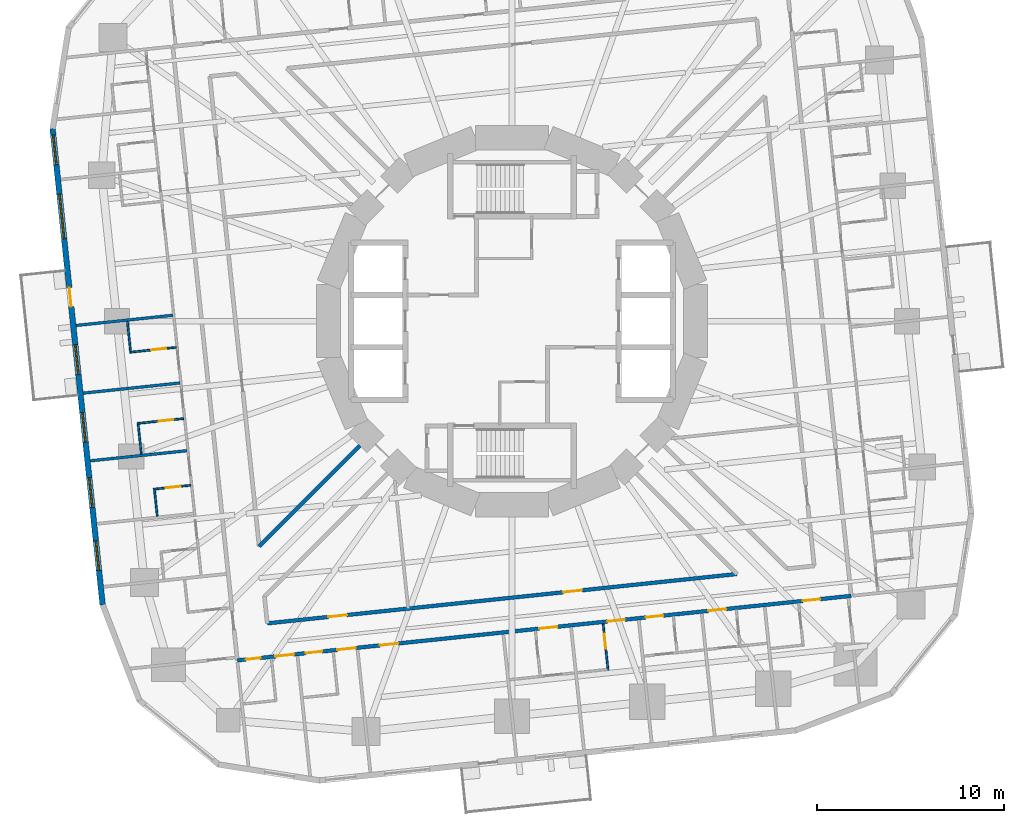
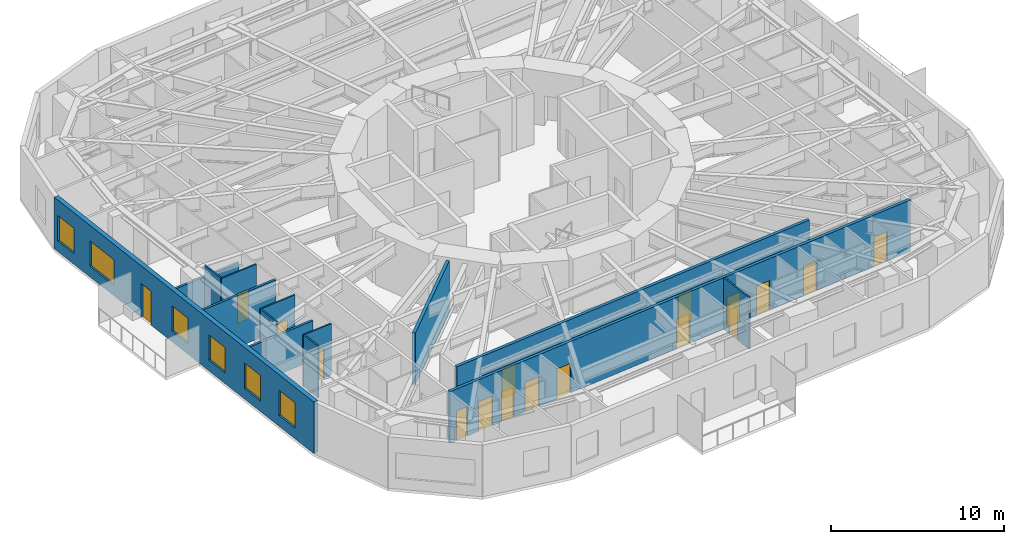
# One storey, part 5 of 13: 17 doors, 14 walls, 6 windows, 23 openings.
"""IFC4 building model written with IfcOpenShell, lengths in metres."""

from ifc_helpers import new_model, si_unit, direction, frame, frame_2d, origin, place, context, subcontext, project, spatial, rectangle, extrude, material, layer, layer_set, type_object, element, fill, save


model = new_model("IFC4")

# Units and contexts
model_context = context("Model", 3, precision=1e-05, world=origin(), true_north=direction((0.0, 1.0)))
body_context = subcontext(model_context, "Body", "Model", "MODEL_VIEW")
ifc_project = project(units=[si_unit("LENGTHUNIT", "METRE"), si_unit("AREAUNIT", "SQUARE_METRE"), si_unit("VOLUMEUNIT", "CUBIC_METRE"), si_unit("PLANEANGLEUNIT", "RADIAN"), si_unit("MASSUNIT", "GRAM", prefix="KILO")], contexts=[model_context])

# Site, building, storey
site_placement = place(None, origin())
site = spatial("IfcSite", under=ifc_project, at=site_placement, CompositionType="ELEMENT")
building_placement = place(site_placement, origin())
building = spatial("IfcBuilding", under=site, at=building_placement, Name="Nakasero Lantern House", CompositionType="ELEMENT")
storey_placement = place(building_placement, frame((0.0, 0.0, 91.300048828125)))
storey = spatial("IfcBuildingStorey", under=building, at=storey_placement, Name="L22", CompositionType="ELEMENT", Elevation=91.300048828125)

# Wall, openings, doors
ifc_material_1 = material(Name="Blockwork", Category="masonry")
ifc_layer_1 = layer(ifc_material_1, 0.199951171875)
ifc_layer_set_1 = layer_set([ifc_layer_1], Name="Corridor wall 200")
wall_type_1 = type_object("IfcWallType", Name="Corridor wall 200", PredefinedType="PARTITIONING", material=ifc_layer_set_1)
wall_1_placement = place(storey_placement, frame((-14.684814453125, -18.13427734375, 0.0), z_axis=(0.0, 0.0, 1.0), x_axis=(0.994521777723, 0.10452958258, 0.0)))
wall_1 = element("IfcWall", 1, at=wall_1_placement, inside=storey, type_object=wall_type_1, Name="Corridor wall L22 CW3", PredefinedType="PARTITIONING", context=body_context, shape_type="SweptSolid", body=[
    extrude(rectangle(XDim=32.999755859375, YDim=0.199951171875, at=frame_2d((16.5, 0.0))), origin(), (0.0, 0.0, 1.0), 3.64990234375),
])
opening_1_placement = place(wall_1_placement, frame((0.449951171875, 0.0, 0.0)))
opening_1 = element("IfcOpeningElement", 2, at=opening_1_placement, cuts=wall_1, Name="Opening D15", PredefinedType="OPENING", context=body_context, shape_type="SweptSolid", body=[
    extrude(rectangle(XDim=0.800048828125, YDim=2.10009765625, at=frame_2d((0.39990234375, 1.050048828125))), frame((0.0, 0.119873046875, 0.0), z_axis=(0.0, -1.0, 0.0), x_axis=(1.0, 0.0, 0.0)), (0.0, 0.0, 1.0), 0.239990234375),
])
opening_2_placement = place(wall_1_placement, frame((2.050048828125, 0.0, 0.0)))
opening_2 = element("IfcOpeningElement", 3, at=opening_2_placement, cuts=wall_1, Name="Opening D07", PredefinedType="OPENING", context=body_context, shape_type="SweptSolid", body=[
    extrude(rectangle(XDim=1.0, YDim=2.10009765625, at=frame_2d((0.5, 1.050048828125))), frame((0.0, 0.119873046875, 0.0), z_axis=(0.0, -1.0, 0.0), x_axis=(1.0, 0.0, 0.0)), (0.0, 0.0, 1.0), 0.239990234375),
])
opening_3_placement = place(wall_1_placement, frame((3.67529296875, 0.0, 0.0)))
opening_3 = element("IfcOpeningElement", 4, at=opening_3_placement, cuts=wall_1, Name="Opening D16", PredefinedType="OPENING", context=body_context, shape_type="SweptSolid", body=[
    extrude(rectangle(XDim=0.89990234375, YDim=2.10009765625, at=frame_2d((0.449951171875, 1.050048828125))), frame((0.0, 0.119873046875, 0.0), z_axis=(0.0, -1.0, 0.0), x_axis=(1.0, 0.0, 0.0)), (0.0, 0.0, 1.0), 0.239990234375),
])
opening_4_placement = place(wall_1_placement, frame((5.375244140625, 0.0, 0.0)))
opening_4 = element("IfcOpeningElement", 5, at=opening_4_placement, cuts=wall_1, Name="Opening D07", PredefinedType="OPENING", context=body_context, shape_type="SweptSolid", body=[
    extrude(rectangle(XDim=1.0, YDim=2.10009765625, at=frame_2d((0.5, 1.050048828125))), frame((0.0, 0.119873046875, 0.0), z_axis=(0.0, -1.0, 0.0), x_axis=(1.0, 0.0, 0.0)), (0.0, 0.0, 1.0), 0.239990234375),
])
opening_5_placement = place(wall_1_placement, frame((16.242919921875, 0.0, 0.0)))
opening_5 = element("IfcOpeningElement", 6, at=opening_5_placement, cuts=wall_1, Name="Opening D01", PredefinedType="OPENING", context=body_context, shape_type="SweptSolid", body=[
    extrude(rectangle(XDim=0.949951171875, YDim=2.10009765625, at=frame_2d((0.47509765625, 1.050048828125))), frame((0.0, 0.119873046875, 0.0), z_axis=(0.0, -1.0, 0.0), x_axis=(1.0, 0.0, 0.0)), (0.0, 0.0, 1.0), 0.239990234375),
])
opening_6_placement = place(wall_1_placement, frame((19.88134765625, 0.0, 0.0)))
opening_6 = element("IfcOpeningElement", 7, at=opening_6_placement, cuts=wall_1, Name="Opening D01", PredefinedType="OPENING", context=body_context, shape_type="SweptSolid", body=[
    extrude(rectangle(XDim=0.949951171875, YDim=2.10009765625, at=frame_2d((0.47509765625, 1.050048828125))), frame((0.0, 0.119873046875, 0.0), z_axis=(0.0, -1.0, 0.0), x_axis=(1.0, 0.0, 0.0)), (0.0, 0.0, 1.0), 0.239990234375),
])
opening_7_placement = place(wall_1_placement, frame((21.945068359375, 0.0, 0.0)))
opening_7 = element("IfcOpeningElement", 8, at=opening_7_placement, cuts=wall_1, Name="Opening D01", PredefinedType="OPENING", context=body_context, shape_type="SweptSolid", body=[
    extrude(rectangle(XDim=0.949951171875, YDim=2.10009765625, at=frame_2d((0.47509765625, 1.050048828125))), frame((0.0, 0.119873046875, 0.0), z_axis=(0.0, -1.0, 0.0), x_axis=(1.0, 0.0, 0.0)), (0.0, 0.0, 1.0), 0.239990234375),
])
opening_8_placement = place(wall_1_placement, frame((25.33056640625, 0.0, 0.0)))
opening_8 = element("IfcOpeningElement", 9, at=opening_8_placement, cuts=wall_1, Name="Opening D01", PredefinedType="OPENING", context=body_context, shape_type="SweptSolid", body=[
    extrude(rectangle(XDim=0.949951171875, YDim=2.10009765625, at=frame_2d((0.47509765625, 1.050048828125))), frame((0.0, 0.119873046875, 0.0), z_axis=(0.0, -1.0, 0.0), x_axis=(1.0, 0.0, 0.0)), (0.0, 0.0, 1.0), 0.239990234375),
])
opening_9_placement = place(wall_1_placement, frame((30.39111328125, 0.0, 0.0)))
opening_9 = element("IfcOpeningElement", 10, at=opening_9_placement, cuts=wall_1, Name="Opening D01", PredefinedType="OPENING", context=body_context, shape_type="SweptSolid", body=[
    extrude(rectangle(XDim=0.949951171875, YDim=2.10009765625, at=frame_2d((0.47509765625, 1.050048828125))), frame((0.0, 0.119873046875, 0.0), z_axis=(0.0, -1.0, 0.0), x_axis=(1.0, 0.0, 0.0)), (0.0, 0.0, 1.0), 0.239990234375),
])
opening_10_placement = place(wall_1_placement, frame((7.650634765625, 0.0, 0.0)))
opening_10 = element("IfcOpeningElement", 11, at=opening_10_placement, cuts=wall_1, Name="Opening D03", PredefinedType="OPENING", context=body_context, shape_type="SweptSolid", body=[
    extrude(rectangle(XDim=1.0, YDim=2.10009765625, at=frame_2d((0.5, 1.050048828125))), frame((0.0, 0.119873046875, 0.0), z_axis=(0.0, -1.0, 0.0), x_axis=(1.0, 0.0, 0.0)), (0.0, 0.0, 1.0), 0.239990234375),
])
ifc_material_2 = material(Name="Timber C24", Category="wood")
door_type_1 = type_object("IfcDoorType", Name="Accessible WC door 900", OperationType="SINGLE_SWING_RIGHT", PredefinedType="DOOR", material=ifc_material_2)
door_1_placement = place(opening_3_placement, origin())
door_1 = element("IfcDoor", 12, at=door_1_placement, inside=storey, type_object=door_type_1, Name="Door L22 DS3-01", OperationType="SINGLE_SWING_LEFT", OverallHeight=2.10009765625, OverallWidth=0.89990234375, PredefinedType="DOOR", context=body_context, shape_type="SweptSolid", body=[
    extrude(rectangle(XDim=0.89990234375, YDim=2.10009765625, at=frame_2d((0.449951171875, 1.050048828125))), frame((0.0, 0.02490234375, 0.0), z_axis=(0.0, -1.0, 0.0), x_axis=(1.0, 0.0, 0.0)), (0.0, 0.0, 1.0), 0.050048828125),
])
fill(opening_3, door_1)
ifc_material_3 = material(Name="Timber C24", Category="wood")
door_type_2 = type_object("IfcDoorType", Name="Bedroom door FD30S 950", OperationType="SINGLE_SWING_LEFT", PredefinedType="DOOR", material=ifc_material_3)
door_2_placement = place(opening_5_placement, origin())
door_2 = element("IfcDoor", 13, at=door_2_placement, inside=storey, type_object=door_type_2, Name="Door L22 D3-04", OperationType="SINGLE_SWING_RIGHT", OverallHeight=2.10009765625, OverallWidth=0.949951171875, PredefinedType="DOOR", context=body_context, shape_type="SweptSolid", body=[
    extrude(rectangle(XDim=0.949951171875, YDim=2.10009765625, at=frame_2d((0.47509765625, 1.050048828125))), frame((0.0, 0.02490234375, 0.0), z_axis=(0.0, -1.0, 0.0), x_axis=(1.0, 0.0, 0.0)), (0.0, 0.0, 1.0), 0.050048828125),
])
fill(opening_5, door_2)
door_3_placement = place(opening_6_placement, origin())
door_3 = element("IfcDoor", 14, at=door_3_placement, inside=storey, type_object=door_type_2, Name="Door L22 D3-05", OperationType="SINGLE_SWING_RIGHT", OverallHeight=2.10009765625, OverallWidth=0.949951171875, PredefinedType="DOOR", context=body_context, shape_type="SweptSolid", body=[
    extrude(rectangle(XDim=0.949951171875, YDim=2.10009765625, at=frame_2d((0.47509765625, 1.050048828125))), frame((0.0, 0.02490234375, 0.0), z_axis=(0.0, -1.0, 0.0), x_axis=(1.0, 0.0, 0.0)), (0.0, 0.0, 1.0), 0.050048828125),
])
fill(opening_6, door_3)
door_4_placement = place(opening_7_placement, origin())
door_4 = element("IfcDoor", 15, at=door_4_placement, inside=storey, type_object=door_type_2, Name="Door L22 D3-06", OperationType="SINGLE_SWING_RIGHT", OverallHeight=2.10009765625, OverallWidth=0.949951171875, PredefinedType="DOOR", context=body_context, shape_type="SweptSolid", body=[
    extrude(rectangle(XDim=0.949951171875, YDim=2.10009765625, at=frame_2d((0.47509765625, 1.050048828125))), frame((0.0, 0.02490234375, 0.0), z_axis=(0.0, -1.0, 0.0), x_axis=(1.0, 0.0, 0.0)), (0.0, 0.0, 1.0), 0.050048828125),
])
fill(opening_7, door_4)
door_5_placement = place(opening_8_placement, origin())
door_5 = element("IfcDoor", 16, at=door_5_placement, inside=storey, type_object=door_type_2, Name="Door L22 D3-07", OperationType="SINGLE_SWING_RIGHT", OverallHeight=2.10009765625, OverallWidth=0.949951171875, PredefinedType="DOOR", context=body_context, shape_type="SweptSolid", body=[
    extrude(rectangle(XDim=0.949951171875, YDim=2.10009765625, at=frame_2d((0.47509765625, 1.050048828125))), frame((0.0, 0.02490234375, 0.0), z_axis=(0.0, -1.0, 0.0), x_axis=(1.0, 0.0, 0.0)), (0.0, 0.0, 1.0), 0.050048828125),
])
fill(opening_8, door_5)
door_6_placement = place(opening_9_placement, origin())
door_6 = element("IfcDoor", 17, at=door_6_placement, inside=storey, type_object=door_type_2, Name="Door L22 D3-08", OperationType="SINGLE_SWING_RIGHT", OverallHeight=2.10009765625, OverallWidth=0.949951171875, PredefinedType="DOOR", context=body_context, shape_type="SweptSolid", body=[
    extrude(rectangle(XDim=0.949951171875, YDim=2.10009765625, at=frame_2d((0.47509765625, 1.050048828125))), frame((0.0, 0.02490234375, 0.0), z_axis=(0.0, -1.0, 0.0), x_axis=(1.0, 0.0, 0.0)), (0.0, 0.0, 1.0), 0.050048828125),
])
fill(opening_9, door_6)
ifc_material_4 = material(Name="Timber C24", Category="wood")
door_type_3 = type_object("IfcDoorType", Name="Cleaner's store door FD30S 800", OperationType="SINGLE_SWING_LEFT", PredefinedType="DOOR", material=ifc_material_4)
door_7_placement = place(opening_1_placement, origin())
door_7 = element("IfcDoor", 18, at=door_7_placement, inside=storey, type_object=door_type_3, Name="Door L22 DS3-00", OperationType="SINGLE_SWING_LEFT", OverallHeight=2.10009765625, OverallWidth=0.800048828125, PredefinedType="DOOR", context=body_context, shape_type="SweptSolid", body=[
    extrude(rectangle(XDim=0.800048828125, YDim=2.10009765625, at=frame_2d((0.39990234375, 1.050048828125))), frame((0.0, 0.02490234375, 0.0), z_axis=(0.0, -1.0, 0.0), x_axis=(1.0, 0.0, 0.0)), (0.0, 0.0, 1.0), 0.050048828125),
])
fill(opening_1, door_7)
ifc_material_5 = material(Name="Timber C24", Category="wood")
door_type_4 = type_object("IfcDoorType", Name="Lounge door FD30S 1000", OperationType="SINGLE_SWING_LEFT", PredefinedType="DOOR", material=ifc_material_5)
door_8_placement = place(opening_10_placement, origin())
door_8 = element("IfcDoor", 19, at=door_8_placement, inside=storey, type_object=door_type_4, Name="Door L22 DK3", OperationType="SINGLE_SWING_LEFT", OverallHeight=2.10009765625, OverallWidth=1.0, PredefinedType="DOOR", context=body_context, shape_type="SweptSolid", body=[
    extrude(rectangle(XDim=1.0, YDim=2.10009765625, at=frame_2d((0.5, 1.050048828125))), frame((0.0, 0.02490234375, 0.0), z_axis=(0.0, -1.0, 0.0), x_axis=(1.0, 0.0, 0.0)), (0.0, 0.0, 1.0), 0.050048828125),
])
fill(opening_10, door_8)
ifc_material_6 = material(Name="Timber C24", Category="wood")
door_type_5 = type_object("IfcDoorType", Name="Room door FD30S 1000", OperationType="SINGLE_SWING_LEFT", PredefinedType="DOOR", material=ifc_material_6)
door_9_placement = place(opening_2_placement, origin())
door_9 = element("IfcDoor", 20, at=door_9_placement, inside=storey, type_object=door_type_5, Name="Door L22 D3-00", OperationType="SINGLE_SWING_LEFT", OverallHeight=2.10009765625, OverallWidth=1.0, PredefinedType="DOOR", context=body_context, shape_type="SweptSolid", body=[
    extrude(rectangle(XDim=1.0, YDim=2.10009765625, at=frame_2d((0.5, 1.050048828125))), frame((0.0, 0.02490234375, 0.0), z_axis=(0.0, -1.0, 0.0), x_axis=(1.0, 0.0, 0.0)), (0.0, 0.0, 1.0), 0.050048828125),
])
fill(opening_2, door_9)
door_10_placement = place(opening_4_placement, origin())
door_10 = element("IfcDoor", 21, at=door_10_placement, inside=storey, type_object=door_type_5, Name="Door L22 D3-01", OperationType="SINGLE_SWING_LEFT", OverallHeight=2.10009765625, OverallWidth=1.0, PredefinedType="DOOR", context=body_context, shape_type="SweptSolid", body=[
    extrude(rectangle(XDim=1.0, YDim=2.10009765625, at=frame_2d((0.5, 1.050048828125))), frame((0.0, 0.02490234375, 0.0), z_axis=(0.0, -1.0, 0.0), x_axis=(1.0, 0.0, 0.0)), (0.0, 0.0, 1.0), 0.050048828125),
])
fill(opening_4, door_10)

wall_2_placement = place(storey_placement, frame((-13.0830078125, -16.156005859375, 0.0), z_axis=(0.0, 0.0, 1.0), x_axis=(0.994521862783, 0.104528773298, 0.0)))
wall_2 = element("IfcWall", 22, at=wall_2_placement, inside=storey, type_object=wall_type_1, Name="Corridor wall L22 IW3-0", PredefinedType="PARTITIONING", context=body_context, shape_type="SweptSolid", body=[
    extrude(rectangle(XDim=25.2529296875, YDim=0.199951171875, at=frame_2d((12.62646484375, 0.0))), origin(), (0.0, 0.0, 1.0), 3.64990234375),
])
opening_11_placement = place(wall_2_placement, frame((3.287841796875, 0.0, 0.0)))
opening_11 = element("IfcOpeningElement", 23, at=opening_11_placement, cuts=wall_2, Name="Opening D07", PredefinedType="OPENING", context=body_context, shape_type="SweptSolid", body=[
    extrude(rectangle(XDim=1.0, YDim=2.10009765625, at=frame_2d((0.5, 1.050048828125))), frame((0.0, 0.119873046875, 0.0), z_axis=(0.0, -1.0, 0.0), x_axis=(1.0, 0.0, 0.0)), (0.0, 0.0, 1.0), 0.239990234375),
])
opening_12_placement = place(wall_2_placement, frame((15.914306640625, 0.0, 0.0)))
opening_12 = element("IfcOpeningElement", 24, at=opening_12_placement, cuts=wall_2, Name="Opening D07", PredefinedType="OPENING", context=body_context, shape_type="SweptSolid", body=[
    extrude(rectangle(XDim=1.0, YDim=2.10009765625, at=frame_2d((0.5, 1.050048828125))), frame((0.0, 0.119873046875, 0.0), z_axis=(0.0, -1.0, 0.0), x_axis=(1.0, 0.0, 0.0)), (0.0, 0.0, 1.0), 0.239990234375),
])
door_11_placement = place(opening_11_placement, origin())
door_11 = element("IfcDoor", 25, at=door_11_placement, inside=storey, type_object=door_type_5, Name="Door L22 DI1", OperationType="SINGLE_SWING_LEFT", OverallHeight=2.10009765625, OverallWidth=1.0, PredefinedType="DOOR", context=body_context, shape_type="SweptSolid", body=[
    extrude(rectangle(XDim=1.0, YDim=2.10009765625, at=frame_2d((0.5, 1.050048828125))), frame((0.0, 0.02490234375, 0.0), z_axis=(0.0, -1.0, 0.0), x_axis=(1.0, 0.0, 0.0)), (0.0, 0.0, 1.0), 0.050048828125),
])
fill(opening_11, door_11)
door_12_placement = place(opening_12_placement, origin())
door_12 = element("IfcDoor", 26, at=door_12_placement, inside=storey, type_object=door_type_5, Name="Door L22 DI1S", OperationType="SINGLE_SWING_RIGHT", OverallHeight=2.10009765625, OverallWidth=1.0, PredefinedType="DOOR", context=body_context, shape_type="SweptSolid", body=[
    extrude(rectangle(XDim=1.0, YDim=2.10009765625, at=frame_2d((0.5, 1.050048828125))), frame((0.0, 0.02490234375, 0.0), z_axis=(0.0, -1.0, 0.0), x_axis=(1.0, 0.0, 0.0)), (0.0, 0.0, 1.0), 0.050048828125),
])
fill(opening_12, door_12)

# Wall
wall_3_placement = place(storey_placement, frame((-8.13720703125, -6.65234375, 0.0), z_axis=(0.0, 0.0, 1.0), x_axis=(-0.707106781187, -0.707106781187, 0.0)))
element("IfcWall", 27, at=wall_3_placement, inside=storey, type_object=wall_type_1, Name="Corridor wall L22 PS10b", PredefinedType="PARTITIONING", context=body_context, shape_type="SweptSolid", body=[
    extrude(rectangle(XDim=7.607177734375, YDim=0.199951171875, at=frame_2d((3.8037109375, 0.0))), origin(), (0.0, 0.0, 1.0), 3.64990234375),
])

# Wall, opening, door
ifc_material_7 = material(Name="Blockwork", Category="masonry")
ifc_layer_2 = layer(ifc_material_7, 0.10009765625)
ifc_layer_set_2 = layer_set([ifc_layer_2], Name="En-suite wall 100")
wall_type_2 = type_object("IfcWallType", Name="En-suite wall 100", PredefinedType="PARTITIONING", material=ifc_layer_set_2)
wall_4_placement = place(storey_placement, frame((-17.951904296875, -1.40185546875, 0.0), z_axis=(0.0, 0.0, 1.0), x_axis=(-0.994514546653, -0.104598357995, 0.0)))
wall_4 = element("IfcWall", 28, at=wall_4_placement, inside=storey, type_object=wall_type_2, Name="En-suite wall L22 ES2-04", PredefinedType="PARTITIONING", context=body_context, shape_type="SweptSolid", body=[
    extrude(rectangle(XDim=2.499755859375, YDim=0.10009765625, at=frame_2d((1.25, 0.0))), origin(), (0.0, 0.0, 1.0), 3.64990234375),
])
opening_13_placement = place(wall_4_placement, frame((0.550048828125, 0.0, 0.0)))
opening_13 = element("IfcOpeningElement", 29, at=opening_13_placement, cuts=wall_4, Name="Opening D02", PredefinedType="OPENING", context=body_context, shape_type="SweptSolid", body=[
    extrude(rectangle(XDim=0.800048828125, YDim=2.10009765625, at=frame_2d((0.39990234375, 1.050048828125))), frame((0.0, 0.070068359375, 0.0), z_axis=(0.0, -1.0, 0.0), x_axis=(1.0, 0.0, 0.0)), (0.0, 0.0, 1.0), 0.14013671875),
])
ifc_material_8 = material(Name="Timber C24", Category="wood")
door_type_6 = type_object("IfcDoorType", Name="En-suite door 800", OperationType="SINGLE_SWING_RIGHT", PredefinedType="DOOR", material=ifc_material_8)
door_13_placement = place(opening_13_placement, origin())
door_13 = element("IfcDoor", 30, at=door_13_placement, inside=storey, type_object=door_type_6, Name="Door L22 DE2-04", OperationType="SINGLE_SWING_LEFT", OverallHeight=2.10009765625, OverallWidth=0.800048828125, PredefinedType="DOOR", context=body_context, shape_type="SweptSolid", body=[
    extrude(rectangle(XDim=0.800048828125, YDim=2.10009765625, at=frame_2d((0.39990234375, 1.050048828125))), frame((0.0, 0.02490234375, 0.0), z_axis=(0.0, -1.0, 0.0), x_axis=(1.0, 0.0, 0.0)), (0.0, 0.0, 1.0), 0.050048828125),
])
fill(opening_13, door_13)

# Wall
wall_5_placement = place(storey_placement, frame((-20.560791015625, -0.01708984375, 0.0), z_axis=(0.0, 0.0, 1.0), x_axis=(0.104517989015, -0.994522996201, 0.0)))
element("IfcWall", 31, at=wall_5_placement, inside=storey, type_object=wall_type_2, Name="En-suite wall L22 EE2-04", PredefinedType="PARTITIONING", context=body_context, shape_type="SweptSolid", body=[
    extrude(rectangle(XDim=1.60009765625, YDim=0.10009765625, at=frame_2d((0.800048828125, 0.0))), origin(), (0.0, 0.0, 1.0), 3.64990234375),
])

# Wall, opening, door
wall_6_placement = place(storey_placement, frame((-17.5517578125, -5.208251953125, 0.0), z_axis=(0.0, 0.0, 1.0), x_axis=(-0.994525767953, -0.104491611519, 0.0)))
wall_6 = element("IfcWall", 32, at=wall_6_placement, inside=storey, type_object=wall_type_2, Name="En-suite wall L22 ES2-05", PredefinedType="PARTITIONING", context=body_context, shape_type="SweptSolid", body=[
    extrude(rectangle(XDim=2.5, YDim=0.10009765625, at=frame_2d((1.25, 0.0))), origin(), (0.0, 0.0, 1.0), 3.64990234375),
])
opening_14_placement = place(wall_6_placement, frame((0.550048828125, 0.0, 0.0)))
opening_14 = element("IfcOpeningElement", 33, at=opening_14_placement, cuts=wall_6, Name="Opening D02", PredefinedType="OPENING", context=body_context, shape_type="SweptSolid", body=[
    extrude(rectangle(XDim=0.800048828125, YDim=2.10009765625, at=frame_2d((0.39990234375, 1.050048828125))), frame((0.0, 0.070068359375, 0.0), z_axis=(0.0, -1.0, 0.0), x_axis=(1.0, 0.0, 0.0)), (0.0, 0.0, 1.0), 0.14013671875),
])
door_14_placement = place(opening_14_placement, origin())
door_14 = element("IfcDoor", 34, at=door_14_placement, inside=storey, type_object=door_type_6, Name="Door L22 DE2-05", OperationType="SINGLE_SWING_LEFT", OverallHeight=2.10009765625, OverallWidth=0.800048828125, PredefinedType="DOOR", context=body_context, shape_type="SweptSolid", body=[
    extrude(rectangle(XDim=0.800048828125, YDim=2.10009765625, at=frame_2d((0.39990234375, 1.050048828125))), frame((0.0, 0.02490234375, 0.0), z_axis=(0.0, -1.0, 0.0), x_axis=(1.0, 0.0, 0.0)), (0.0, 0.0, 1.0), 0.050048828125),
])
fill(opening_14, door_14)

# Wall
wall_7_placement = place(storey_placement, frame((-19.983154296875, -5.513916015625, 0.0), z_axis=(0.0, 0.0, 1.0), x_axis=(0.104517989015, -0.994522996201, 0.0)))
element("IfcWall", 35, at=wall_7_placement, inside=storey, type_object=wall_type_2, Name="En-suite wall L22 EE2-05", PredefinedType="PARTITIONING", context=body_context, shape_type="SweptSolid", body=[
    extrude(rectangle(XDim=1.60009765625, YDim=0.10009765625, at=frame_2d((0.800048828125, 0.0))), origin(), (0.0, 0.0, 1.0), 3.64990234375),
])

# Wall, opening, door
wall_8_placement = place(storey_placement, frame((-17.177001953125, -8.774169921875, 0.0), z_axis=(0.0, 0.0, 1.0), x_axis=(-0.99452550138, -0.104494148666, 0.0)))
wall_8 = element("IfcWall", 36, at=wall_8_placement, inside=storey, type_object=wall_type_2, Name="En-suite wall L22 ES2-06", PredefinedType="PARTITIONING", context=body_context, shape_type="SweptSolid", body=[
    extrude(rectangle(XDim=2.0, YDim=0.10009765625, at=frame_2d((1.0, 0.0))), origin(), (0.0, 0.0, 1.0), 3.64990234375),
])
opening_15_placement = place(wall_8_placement, frame((0.550048828125, 0.0, 0.0)))
opening_15 = element("IfcOpeningElement", 37, at=opening_15_placement, cuts=wall_8, Name="Opening D02", PredefinedType="OPENING", context=body_context, shape_type="SweptSolid", body=[
    extrude(rectangle(XDim=0.800048828125, YDim=2.10009765625, at=frame_2d((0.39990234375, 1.050048828125))), frame((0.0, 0.070068359375, 0.0), z_axis=(0.0, -1.0, 0.0), x_axis=(1.0, 0.0, 0.0)), (0.0, 0.0, 1.0), 0.14013671875),
])
door_15_placement = place(opening_15_placement, origin())
door_15 = element("IfcDoor", 38, at=door_15_placement, inside=storey, type_object=door_type_6, Name="Door L22 DE2-06", OperationType="SINGLE_SWING_LEFT", OverallHeight=2.10009765625, OverallWidth=0.800048828125, PredefinedType="DOOR", context=body_context, shape_type="SweptSolid", body=[
    extrude(rectangle(XDim=0.800048828125, YDim=2.10009765625, at=frame_2d((0.39990234375, 1.050048828125))), frame((0.0, 0.02490234375, 0.0), z_axis=(0.0, -1.0, 0.0), x_axis=(1.0, 0.0, 0.0)), (0.0, 0.0, 1.0), 0.050048828125),
])
fill(opening_15, door_15)

# Wall
wall_9_placement = place(storey_placement, frame((-19.111083984375, -9.027587890625, 0.0), z_axis=(0.0, 0.0, 1.0), x_axis=(0.104630319263, -0.994511184598, 0.0)))
element("IfcWall", 39, at=wall_9_placement, inside=storey, type_object=wall_type_2, Name="En-suite wall L22 EE2-06", PredefinedType="PARTITIONING", context=body_context, shape_type="SweptSolid", body=[
    extrude(rectangle(XDim=1.39990234375, YDim=0.10009765625, at=frame_2d((0.699951171875, 0.0))), origin(), (0.0, 0.0, 1.0), 3.64990234375),
])

# Wall, opening, door
wall_10_placement = place(storey_placement, frame((4.874267578125, -16.17919921875, 0.0), z_axis=(0.0, 0.0, 1.0), x_axis=(0.104491611519, -0.994525767953, 0.0)))
wall_10 = element("IfcWall", 40, at=wall_10_placement, inside=storey, type_object=wall_type_2, Name="En-suite wall L22 ES3-05", PredefinedType="PARTITIONING", context=body_context, shape_type="SweptSolid", body=[
    extrude(rectangle(XDim=2.5, YDim=0.10009765625, at=frame_2d((1.25, 0.0))), origin(), (0.0, 0.0, 1.0), 3.64990234375),
])
opening_16_placement = place(wall_10_placement, frame((0.550048828125, 0.0, 0.0)))
opening_16 = element("IfcOpeningElement", 41, at=opening_16_placement, cuts=wall_10, Name="Opening D02", PredefinedType="OPENING", context=body_context, shape_type="SweptSolid", body=[
    extrude(rectangle(XDim=0.800048828125, YDim=2.10009765625, at=frame_2d((0.39990234375, 1.050048828125))), frame((0.0, 0.070068359375, 0.0), z_axis=(0.0, -1.0, 0.0), x_axis=(1.0, 0.0, 0.0)), (0.0, 0.0, 1.0), 0.14013671875),
])
door_16_placement = place(opening_16_placement, origin())
door_16 = element("IfcDoor", 42, at=door_16_placement, inside=storey, type_object=door_type_6, Name="Door L22 DE3-05", OperationType="SINGLE_SWING_LEFT", OverallHeight=2.10009765625, OverallWidth=0.800048828125, PredefinedType="DOOR", context=body_context, shape_type="SweptSolid", body=[
    extrude(rectangle(XDim=0.800048828125, YDim=2.10009765625, at=frame_2d((0.39990234375, 1.050048828125))), frame((0.0, 0.02490234375, 0.0), z_axis=(0.0, -1.0, 0.0), x_axis=(1.0, 0.0, 0.0)), (0.0, 0.0, 1.0), 0.050048828125),
])
fill(opening_16, door_16)

# Wall, openings, door, windows
ifc_material_9 = material(Name="Aluminium rainscreen on blockwork", Category="masonry")
ifc_layer_3 = layer(ifc_material_9, 0.300048828125)
ifc_layer_set_3 = layer_set([ifc_layer_3], Name="Facade wall 300")
wall_type_3 = type_object("IfcWallType", Name="Facade wall 300", PredefinedType="SOLIDWALL", material=ifc_layer_set_3)
wall_11_placement = place(storey_placement, frame((-24.56005859375, 10.2890625, 0.0), z_axis=(0.0, 0.0, 1.0), x_axis=(0.104532378096, -0.994521483895, 0.0)))
wall_11 = element("IfcWall", 43, at=wall_11_placement, inside=storey, type_object=wall_type_3, Name="Facade wall L22 FW2S", PredefinedType="SOLIDWALL", context=body_context, shape_type="SweptSolid", body=[
    extrude(rectangle(XDim=25.599853515625, YDim=0.300048828125, at=frame_2d((12.7998046875, 0.0))), origin(), (0.0, 0.0, 1.0), 3.64990234375),
])
opening_17_placement = place(wall_11_placement, frame((0.337890625, 0.0, 0.75)))
opening_17 = element("IfcOpeningElement", 44, at=opening_17_placement, cuts=wall_11, Name="Opening W01", PredefinedType="OPENING", context=body_context, shape_type="SweptSolid", body=[
    extrude(rectangle(XDim=1.60009765625, YDim=1.800048828125, at=frame_2d((0.800048828125, 0.89990234375))), frame((0.0, 0.169921875, 0.0), z_axis=(0.0, -1.0, 0.0), x_axis=(1.0, 0.0, 0.0)), (0.0, 0.0, 1.0), 0.340087890625),
])
opening_18_placement = place(wall_11_placement, frame((11.612060546875, 0.0, 0.75)))
opening_18 = element("IfcOpeningElement", 45, at=opening_18_placement, cuts=wall_11, Name="Opening W01", PredefinedType="OPENING", context=body_context, shape_type="SweptSolid", body=[
    extrude(rectangle(XDim=1.60009765625, YDim=1.800048828125, at=frame_2d((0.800048828125, 0.89990234375))), frame((0.0, 0.169921875, 0.0), z_axis=(0.0, -1.0, 0.0), x_axis=(1.0, 0.0, 0.0)), (0.0, 0.0, 1.0), 0.340087890625),
])
opening_19_placement = place(wall_11_placement, frame((15.250732421875, 0.0, 0.75)))
opening_19 = element("IfcOpeningElement", 46, at=opening_19_placement, cuts=wall_11, Name="Opening W01", PredefinedType="OPENING", context=body_context, shape_type="SweptSolid", body=[
    extrude(rectangle(XDim=1.60009765625, YDim=1.800048828125, at=frame_2d((0.800048828125, 0.89990234375))), frame((0.0, 0.169921875, 0.0), z_axis=(0.0, -1.0, 0.0), x_axis=(1.0, 0.0, 0.0)), (0.0, 0.0, 1.0), 0.340087890625),
])
opening_20_placement = place(wall_11_placement, frame((18.7626953125, 0.0, 0.75)))
opening_20 = element("IfcOpeningElement", 47, at=opening_20_placement, cuts=wall_11, Name="Opening W01", PredefinedType="OPENING", context=body_context, shape_type="SweptSolid", body=[
    extrude(rectangle(XDim=1.60009765625, YDim=1.800048828125, at=frame_2d((0.800048828125, 0.89990234375))), frame((0.0, 0.169921875, 0.0), z_axis=(0.0, -1.0, 0.0), x_axis=(1.0, 0.0, 0.0)), (0.0, 0.0, 1.0), 0.340087890625),
])
opening_21_placement = place(wall_11_placement, frame((22.1484375, 0.0, 0.75)))
opening_21 = element("IfcOpeningElement", 48, at=opening_21_placement, cuts=wall_11, Name="Opening W01", PredefinedType="OPENING", context=body_context, shape_type="SweptSolid", body=[
    extrude(rectangle(XDim=1.60009765625, YDim=1.800048828125, at=frame_2d((0.800048828125, 0.89990234375))), frame((0.0, 0.169921875, 0.0), z_axis=(0.0, -1.0, 0.0), x_axis=(1.0, 0.0, 0.0)), (0.0, 0.0, 1.0), 0.340087890625),
])
opening_22_placement = place(wall_11_placement, frame((3.51123046875, 0.0, 0.75)))
opening_22 = element("IfcOpeningElement", 49, at=opening_22_placement, cuts=wall_11, Name="Opening W03", PredefinedType="OPENING", context=body_context, shape_type="SweptSolid", body=[
    extrude(rectangle(XDim=2.39990234375, YDim=1.800048828125, at=frame_2d((1.199951171875, 0.89990234375))), frame((0.0, 0.169921875, 0.0), z_axis=(0.0, -1.0, 0.0), x_axis=(1.0, 0.0, 0.0)), (0.0, 0.0, 1.0), 0.340087890625),
])
opening_23_placement = place(wall_11_placement, frame((8.558837890625, 0.0, 0.0)))
opening_23 = element("IfcOpeningElement", 50, at=opening_23_placement, cuts=wall_11, Name="Opening D04", PredefinedType="OPENING", context=body_context, shape_type="SweptSolid", body=[
    extrude(rectangle(XDim=1.0, YDim=2.39990234375, at=frame_2d((0.5, 1.199951171875))), frame((0.0, 0.169921875, 0.0), z_axis=(0.0, -1.0, 0.0), x_axis=(1.0, 0.0, 0.0)), (0.0, 0.0, 1.0), 0.340087890625),
])
ifc_material_10 = material(Name="Aluminium 6063-T6 and glass", Category="aluminium")
door_type_7 = type_object("IfcDoorType", Name="Balcony door 1000x2400", OperationType="SINGLE_SWING_RIGHT", PredefinedType="DOOR", material=ifc_material_10)
door_17_placement = place(opening_23_placement, origin())
door_17 = element("IfcDoor", 51, at=door_17_placement, inside=storey, type_object=door_type_7, Name="Balcony door L22 DB2", OperationType="SINGLE_SWING_RIGHT", OverallHeight=2.39990234375, OverallWidth=1.0, PredefinedType="DOOR", context=body_context, shape_type="SweptSolid", body=[
    extrude(rectangle(XDim=1.0, YDim=2.39990234375, at=frame_2d((0.5, 1.199951171875))), frame((0.0, 0.02490234375, 0.0), z_axis=(0.0, -1.0, 0.0), x_axis=(1.0, 0.0, 0.0)), (0.0, 0.0, 1.0), 0.050048828125),
])
fill(opening_23, door_17)
ifc_material_11 = material(Name="Aluminium 6063-T6 and glass", Category="aluminium")
window_type_1 = type_object("IfcWindowType", Name="Bedroom window 1600x1800", PartitioningType="SINGLE_PANEL", PredefinedType="WINDOW", material=ifc_material_11)
window_1_placement = place(opening_17_placement, origin())
window_1 = element("IfcWindow", 52, at=window_1_placement, inside=storey, type_object=window_type_1, Name="Window L22 WN2-01", OverallHeight=1.800048828125, OverallWidth=1.60009765625, PartitioningType="SINGLE_PANEL", PredefinedType="WINDOW", context=body_context, shape_type="SweptSolid", body=[
    extrude(rectangle(XDim=1.60009765625, YDim=1.800048828125, at=frame_2d((0.800048828125, 0.89990234375))), frame((0.0, 0.030029296875, 0.0), z_axis=(0.0, -1.0, 0.0), x_axis=(1.0, 0.0, 0.0)), (0.0, 0.0, 1.0), 0.06005859375),
])
fill(opening_17, window_1)
window_2_placement = place(opening_18_placement, origin())
window_2 = element("IfcWindow", 53, at=window_2_placement, inside=storey, type_object=window_type_1, Name="Window L22 WN2-04", OverallHeight=1.800048828125, OverallWidth=1.60009765625, PartitioningType="SINGLE_PANEL", PredefinedType="WINDOW", context=body_context, shape_type="SweptSolid", body=[
    extrude(rectangle(XDim=1.60009765625, YDim=1.800048828125, at=frame_2d((0.800048828125, 0.89990234375))), frame((0.0, 0.030029296875, 0.0), z_axis=(0.0, -1.0, 0.0), x_axis=(1.0, 0.0, 0.0)), (0.0, 0.0, 1.0), 0.06005859375),
])
fill(opening_18, window_2)
window_3_placement = place(opening_19_placement, origin())
window_3 = element("IfcWindow", 54, at=window_3_placement, inside=storey, type_object=window_type_1, Name="Window L22 WN2-05", OverallHeight=1.800048828125, OverallWidth=1.60009765625, PartitioningType="SINGLE_PANEL", PredefinedType="WINDOW", context=body_context, shape_type="SweptSolid", body=[
    extrude(rectangle(XDim=1.60009765625, YDim=1.800048828125, at=frame_2d((0.800048828125, 0.89990234375))), frame((0.0, 0.030029296875, 0.0), z_axis=(0.0, -1.0, 0.0), x_axis=(1.0, 0.0, 0.0)), (0.0, 0.0, 1.0), 0.06005859375),
])
fill(opening_19, window_3)
window_4_placement = place(opening_20_placement, origin())
window_4 = element("IfcWindow", 55, at=window_4_placement, inside=storey, type_object=window_type_1, Name="Window L22 WN2-06", OverallHeight=1.800048828125, OverallWidth=1.60009765625, PartitioningType="SINGLE_PANEL", PredefinedType="WINDOW", context=body_context, shape_type="SweptSolid", body=[
    extrude(rectangle(XDim=1.60009765625, YDim=1.800048828125, at=frame_2d((0.800048828125, 0.89990234375))), frame((0.0, 0.030029296875, 0.0), z_axis=(0.0, -1.0, 0.0), x_axis=(1.0, 0.0, 0.0)), (0.0, 0.0, 1.0), 0.06005859375),
])
fill(opening_20, window_4)
window_5_placement = place(opening_21_placement, origin())
window_5 = element("IfcWindow", 56, at=window_5_placement, inside=storey, type_object=window_type_1, Name="Window L22 WN2-07", OverallHeight=1.800048828125, OverallWidth=1.60009765625, PartitioningType="SINGLE_PANEL", PredefinedType="WINDOW", context=body_context, shape_type="SweptSolid", body=[
    extrude(rectangle(XDim=1.60009765625, YDim=1.800048828125, at=frame_2d((0.800048828125, 0.89990234375))), frame((0.0, 0.030029296875, 0.0), z_axis=(0.0, -1.0, 0.0), x_axis=(1.0, 0.0, 0.0)), (0.0, 0.0, 1.0), 0.06005859375),
])
fill(opening_21, window_5)
ifc_material_12 = material(Name="Aluminium 6063-T6 and glass", Category="aluminium")
window_type_2 = type_object("IfcWindowType", Name="Lounge window 2400x1800", PartitioningType="SINGLE_PANEL", PredefinedType="WINDOW", material=ifc_material_12)
window_6_placement = place(opening_22_placement, origin())
window_6 = element("IfcWindow", 57, at=window_6_placement, inside=storey, type_object=window_type_2, Name="Window L22 WK2", OverallHeight=1.800048828125, OverallWidth=2.39990234375, PartitioningType="SINGLE_PANEL", PredefinedType="WINDOW", context=body_context, shape_type="SweptSolid", body=[
    extrude(rectangle(XDim=2.39990234375, YDim=1.800048828125, at=frame_2d((1.199951171875, 0.89990234375))), frame((0.0, 0.030029296875, 0.0), z_axis=(0.0, -1.0, 0.0), x_axis=(1.0, 0.0, 0.0)), (0.0, 0.0, 1.0), 0.06005859375),
])
fill(opening_22, window_6)

# Walls
ifc_material_13 = material(Name="Blockwork", Category="masonry")
ifc_layer_4 = layer(ifc_material_13, 0.14990234375)
ifc_layer_set_4 = layer_set([ifc_layer_4], Name="Party wall 150")
wall_type_4 = type_object("IfcWallType", Name="Party wall 150", PredefinedType="PARTITIONING", material=ifc_layer_set_4)
wall_12_placement = place(storey_placement, frame((-18.132080078125, 0.3134765625, 0.0), z_axis=(0.0, 0.0, 1.0), x_axis=(-0.994523959761, -0.104508820017, 0.0)))
element("IfcWall", 58, at=wall_12_placement, inside=storey, type_object=wall_type_4, Name="Party wall L22 PW2-04", PredefinedType="PARTITIONING", context=body_context, shape_type="SweptSolid", body=[
    extrude(rectangle(XDim=5.2001953125, YDim=0.14990234375, at=frame_2d((2.60009765625, 0.0))), origin(), (0.0, 0.0, 1.0), 2.809326171875),
])
wall_13_placement = place(storey_placement, frame((-17.751708984375, -3.30517578125, 0.0), z_axis=(0.0, 0.0, 1.0), x_axis=(-0.994523959761, -0.104508820017, 0.0)))
element("IfcWall", 59, at=wall_13_placement, inside=storey, type_object=wall_type_4, Name="Party wall L22 PW2-05", PredefinedType="PARTITIONING", context=body_context, shape_type="SweptSolid", body=[
    extrude(rectangle(XDim=5.2001953125, YDim=0.14990234375, at=frame_2d((2.60009765625, 0.0))), origin(), (0.0, 0.0, 1.0), 3.64990234375),
])
wall_14_placement = place(storey_placement, frame((-17.371337890625, -6.923828125, 0.0), z_axis=(0.0, 0.0, 1.0), x_axis=(-0.994523959761, -0.104508820017, 0.0)))
element("IfcWall", 60, at=wall_14_placement, inside=storey, type_object=wall_type_4, Name="Party wall L22 PW2-06", PredefinedType="PARTITIONING", context=body_context, shape_type="SweptSolid", body=[
    extrude(rectangle(XDim=5.2001953125, YDim=0.14990234375, at=frame_2d((2.60009765625, 0.0))), origin(), (0.0, 0.0, 1.0), 2.809326171875),
])

save(model, "model.ifc")
